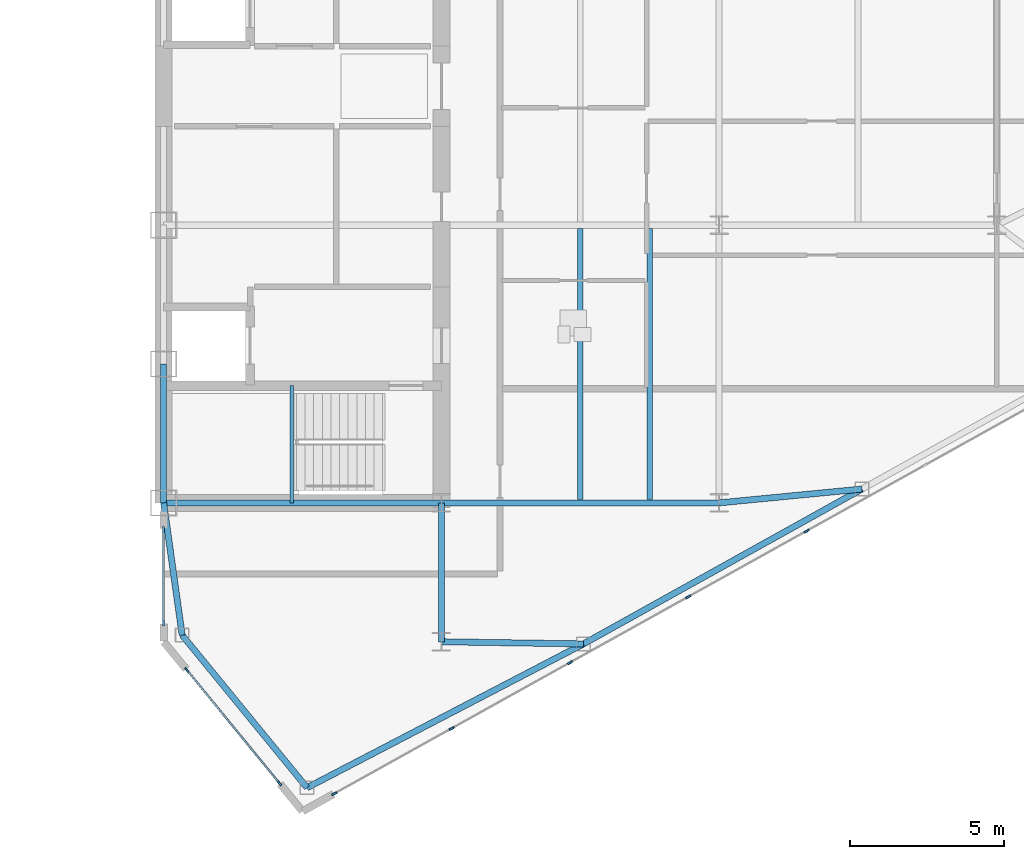
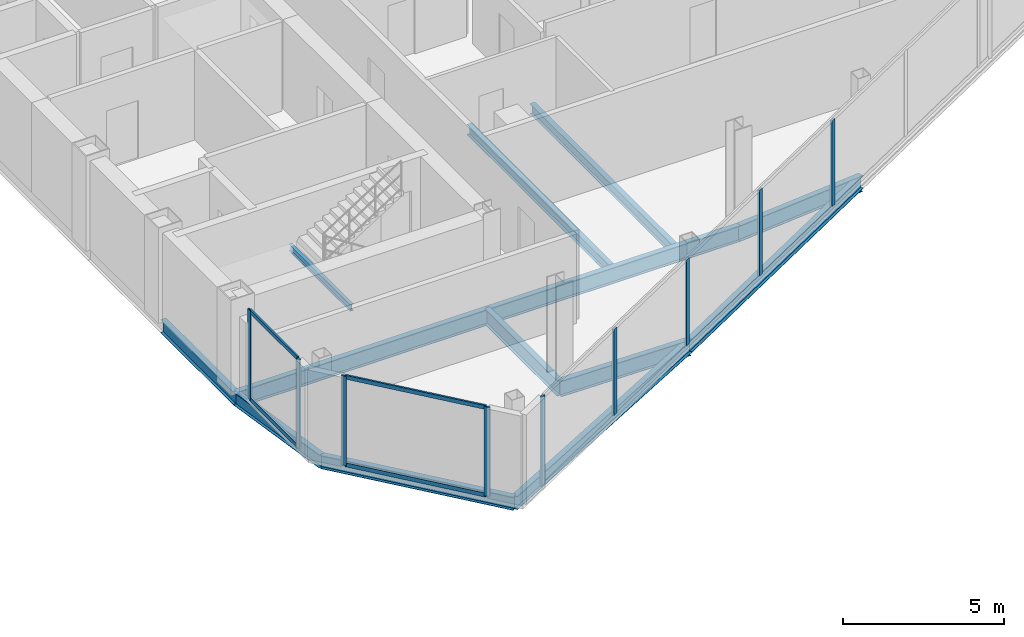
# One storey, part 11 of 25: 13 beams, 13 members, 3 elements without a shape of their own.
"""IFC4 building model written with IfcOpenShell, lengths in metres."""

from ifc_helpers import new_model, si_unit, direction, frame, origin, origin_2d, place, context, subcontext, project, spatial, rectangle, i_section, extrude, source, transform, mapped, material, layer, layer_set, material_profile, profile_set, type_object, type_shapes, element, aggregate, save


model = new_model("IFC4")

# Units and contexts
model_context = context("Model", 3, precision=1e-05, world=origin(), true_north=direction((0.0, 1.0)))
body_context = subcontext(model_context, "Body", "Model", "MODEL_VIEW")
ifc_project = project(units=[si_unit("LENGTHUNIT", "METRE"), si_unit("AREAUNIT", "SQUARE_METRE"), si_unit("VOLUMEUNIT", "CUBIC_METRE"), si_unit("PLANEANGLEUNIT", "RADIAN"), si_unit("MASSUNIT", "GRAM", prefix="KILO")], contexts=[model_context])

# Site, building, storey
site_placement = place(None, origin())
site = spatial("IfcSite", under=ifc_project, at=site_placement, CompositionType="ELEMENT")
building_placement = place(site_placement, origin())
building = spatial("IfcBuilding", under=site, at=building_placement, Name="Seokmaru Belvedere", CompositionType="ELEMENT")
storey_placement = place(building_placement, frame((0.0, 0.0, 185.10009765625)))
storey = spatial("IfcBuildingStorey", under=building, at=storey_placement, Name="L49", CompositionType="ELEMENT", Elevation=185.10009765625)

# Beams
ifc_material_1 = material(Name="Steel SM355 (355 MPa)", Category="steel")
ifc_material_profile_1 = material_profile(ifc_material_1, i_section(OverallWidth=0.199951171875, OverallDepth=0.5, WebThickness=0.010009765625, FlangeThickness=0.01611328125, at=origin_2d()), Name="H-500x200x10x16")
ifc_profile_set_1 = profile_set([ifc_material_profile_1], Name="Steel SM355 (355 MPa)")
beam_type_1 = type_object("IfcBeamType", Name="Perimeter Spandrel Beam H-500", PredefinedType="SPANDREL", material=ifc_profile_set_1)
shared_shape_1 = source(origin(), body_context, "Body", "SweptSolid", [
    extrude(i_section(OverallWidth=0.199951171875, OverallDepth=0.5, WebThickness=0.010009765625, FlangeThickness=0.01611328125, at=origin_2d()), origin(), (0.0, 0.0, 1.0), 4.5),
])
beam_1_placement = place(storey_placement, frame((27.5, -13.5, -0.47021484375), z_axis=(0.0, 1.0, 0.0), x_axis=(-1.0, 0.0, 0.0)))
element("IfcBeam", 1, at=beam_1_placement, inside=storey, type_object=beam_type_1, Name="L49 E Portal Spine Spandrel 1", PredefinedType="SPANDREL", context=body_context, shape_type="MappedRepresentation", body=[
    mapped(shared_shape_1, transform((0.0, 0.0, 0.0), scale=1.0)),
])
ifc_material_profile_2 = material_profile(ifc_material_1, i_section(OverallWidth=0.199951171875, OverallDepth=0.60009765625, WebThickness=0.010986328125, FlangeThickness=0.01708984375, at=origin_2d()), Name="H-600x200x11x17")
ifc_profile_set_2 = profile_set([ifc_material_profile_2], Name="Steel SM355 (355 MPa)")
beam_type_2 = type_object("IfcBeamType", Name="Primary Floor Girder H-600", PredefinedType="BEAM", material=ifc_profile_set_2)
shared_shape_2 = source(origin(), body_context, "Body", "SweptSolid", [
    extrude(i_section(OverallWidth=0.199951171875, OverallDepth=0.60009765625, WebThickness=0.010986328125, FlangeThickness=0.01708984375, at=origin_2d()), origin(), (0.0, 0.0, 1.0), 9.0),
])
for number, where, z_axis, x_axis, name in (
    (2, (27.5, -13.5, -0.52001953125), (1.0, 0.0, 0.0), (0.0, 1.0, 0.0), "L49 E Core Tie Girder 1"),
    (3, (36.5, -13.5, -0.52001953125), (1.0, 0.0, 0.0), (0.0, 1.0, 0.0), "L49 E Wing Primary Girder 1"),
):
    element("IfcBeam", number, at=place(storey_placement, frame(where, z_axis=z_axis, x_axis=x_axis)), inside=storey, type_object=beam_type_2, Name=name, PredefinedType="BEAM", context=body_context, shape_type="MappedRepresentation", body=[
        mapped(shared_shape_2, transform((0.0, 0.0, 0.0), scale=1.0)),
    ])
ifc_material_profile_3 = material_profile(ifc_material_1, i_section(OverallWidth=0.18505859375, OverallDepth=0.389892578125, WebThickness=0.008056640625, FlangeThickness=0.011962890625, at=origin_2d()), Name="H-390x185x8x12")
ifc_profile_set_3 = profile_set([ifc_material_profile_3], Name="Steel SM355 (355 MPa)")
beam_type_3 = type_object("IfcBeamType", Name="Secondary Floor Joist H-350", PredefinedType="JOIST", material=ifc_profile_set_3)
shared_shape_3 = source(origin(), body_context, "Body", "SweptSolid", [
    extrude(i_section(OverallWidth=0.18505859375, OverallDepth=0.389892578125, WebThickness=0.008056640625, FlangeThickness=0.011962890625, at=origin_2d()), origin(), (0.0, 0.0, 1.0), 8.7900390625),
])
type_shapes(beam_type_3, [shared_shape_3])
for number, where, z_axis, x_axis, name in (
    (4, (43.25, -13.39501953125, -0.4150390625), (0.0, 1.0, 0.0), (-1.0, 0.0, 0.0), "L49 E Wing Inner Secondary Joist 1"),
    (5, (41.0, -13.39501953125, -0.4150390625), (0.0, 1.0, 0.0), (-1.0, 0.0, 0.0), "L49 E Secondary Floor Joist 1"),
):
    element("IfcBeam", number, at=place(storey_placement, frame(where, z_axis=z_axis, x_axis=x_axis)), inside=storey, type_object=beam_type_3, Name=name, PredefinedType="JOIST", context=body_context, shape_type="MappedRepresentation", body=[
        mapped(shared_shape_3, transform((0.0, 0.0, 0.0), scale=1.0)),
    ])
shared_shape_4 = source(origin(), body_context, "Body", "SweptSolid", [
    extrude(i_section(OverallWidth=0.199951171875, OverallDepth=0.60009765625, WebThickness=0.010986328125, FlangeThickness=0.01708984375, at=origin_2d()), origin(), (0.0, 0.0, 1.0), 4.5),
])
beam_2_placement = place(storey_placement, frame((36.5, -18.0, -0.52001953125), z_axis=(0.0, 1.0, 0.0), x_axis=(-1.0, 0.0, 0.0)))
element("IfcBeam", 6, at=beam_2_placement, inside=storey, type_object=beam_type_2, Name="L49 E Core Shoulder Girder S", PredefinedType="BEAM", context=body_context, shape_type="MappedRepresentation", body=[
    mapped(shared_shape_4, transform((0.0, 0.0, 0.0), scale=1.0)),
])
shared_shape_5 = source(origin(), body_context, "Body", "SweptSolid", [
    extrude(i_section(OverallWidth=0.199951171875, OverallDepth=0.5, WebThickness=0.010009765625, FlangeThickness=0.01611328125, at=origin_2d()), origin(), (0.0, 0.0, 1.0), 10.09716796875),
])
beam_3_placement = place(storey_placement, frame((32.146728515625, -22.731689453125, -0.47021484375), z_axis=(0.887085728914, 0.461604711369, 0.0), x_axis=(-0.461604711369, 0.887085728914, 0.0)))
element("IfcBeam", 7, at=beam_3_placement, inside=storey, type_object=beam_type_1, Name="L49 E Faceted Flank Spandrel S-1", PredefinedType="SPANDREL", context=body_context, shape_type="MappedRepresentation", body=[
    mapped(shared_shape_5, transform((0.0, 0.0, 0.0), scale=1.0)),
])
shared_shape_6 = source(origin(), body_context, "Body", "SweptSolid", [
    extrude(i_section(OverallWidth=0.199951171875, OverallDepth=0.5, WebThickness=0.010009765625, FlangeThickness=0.01611328125, at=origin_2d()), origin(), (0.0, 0.0, 1.0), 10.327392578125),
])
beam_4_placement = place(storey_placement, frame((41.103759765625, -18.07080078125, -0.47021484375), z_axis=(0.873924120588, 0.486062374037, 0.0), x_axis=(-0.486062374037, 0.873924120588, 0.0)))
element("IfcBeam", 8, at=beam_4_placement, inside=storey, type_object=beam_type_1, Name="L49 E Faceted Flank Spandrel S-2", PredefinedType="SPANDREL", context=body_context, shape_type="MappedRepresentation", body=[
    mapped(shared_shape_6, transform((0.0, 0.0, 0.0), scale=1.0)),
])
shared_shape_7 = source(origin(), body_context, "Body", "SweptSolid", [
    extrude(i_section(OverallWidth=0.199951171875, OverallDepth=0.5, WebThickness=0.010009765625, FlangeThickness=0.01611328125, at=origin_2d()), origin(), (0.0, 0.0, 1.0), 6.390380859375),
])
beam_5_placement = place(storey_placement, frame((32.146728515625, -22.731689453125, -0.47021484375), z_axis=(-0.63324403161, 0.7739521926, 0.0), x_axis=(-0.7739521926, -0.63324403161, 0.0)))
element("IfcBeam", 9, at=beam_5_placement, inside=storey, type_object=beam_type_1, Name="L49 E Shoulder Chamfer Spandrel S", PredefinedType="SPANDREL", context=body_context, shape_type="MappedRepresentation", body=[
    mapped(shared_shape_7, transform((0.0, 0.0, 0.0), scale=1.0)),
])
shared_shape_8 = source(origin(), body_context, "Body", "SweptSolid", [
    extrude(i_section(OverallWidth=0.199951171875, OverallDepth=0.5, WebThickness=0.010009765625, FlangeThickness=0.01611328125, at=origin_2d()), origin(), (0.0, 0.0, 1.0), 4.32763671875),
])
type_shapes(beam_type_1, [shared_shape_1, shared_shape_5, shared_shape_6, shared_shape_7, shared_shape_8])
beam_6_placement = place(storey_placement, frame((28.10009765625, -17.785888671875, -0.47021484375), z_axis=(-0.138664443237, 0.990339422714, 0.0), x_axis=(-0.990339422714, -0.138664443237, 0.0)))
element("IfcBeam", 10, at=beam_6_placement, inside=storey, type_object=beam_type_1, Name="L49 E Shoulder Spine Spandrel S", PredefinedType="SPANDREL", context=body_context, shape_type="MappedRepresentation", body=[
    mapped(shared_shape_8, transform((0.0, 0.0, 0.0), scale=1.0)),
])
shared_shape_9 = source(origin(), body_context, "Body", "SweptSolid", [
    extrude(i_section(OverallWidth=0.199951171875, OverallDepth=0.60009765625, WebThickness=0.010986328125, FlangeThickness=0.01708984375, at=origin_2d()), origin(), (0.0, 0.0, 1.0), 4.604248046875),
])
beam_7_placement = place(storey_placement, frame((41.103759765625, -18.07080078125, -0.52001953125), z_axis=(-0.999881765622, 0.01537708607, 0.0), x_axis=(-0.01537708607, -0.999881765622, 0.0)))
element("IfcBeam", 11, at=beam_7_placement, inside=storey, type_object=beam_type_2, Name="L49 E Flank Radial Floor Girder S-1", PredefinedType="BEAM", context=body_context, shape_type="MappedRepresentation", body=[
    mapped(shared_shape_9, transform((0.0, 0.0, 0.0), scale=1.0)),
])
shared_shape_10 = source(origin(), body_context, "Body", "SweptSolid", [
    extrude(i_section(OverallWidth=0.199951171875, OverallDepth=0.60009765625, WebThickness=0.010986328125, FlangeThickness=0.01708984375, at=origin_2d()), origin(), (0.0, 0.0, 1.0), 4.65087890625),
])
type_shapes(beam_type_2, [shared_shape_2, shared_shape_4, shared_shape_9, shared_shape_10])
beam_8_placement = place(storey_placement, frame((50.129150390625, -13.051025390625, -0.52001953125), z_axis=(-0.995329534874, -0.09653557379, 0.0), x_axis=(0.09653557379, -0.995329534874, 0.0)))
element("IfcBeam", 12, at=beam_8_placement, inside=storey, type_object=beam_type_2, Name="L49 E Flank Radial Floor Girder S-2", PredefinedType="BEAM", context=body_context, shape_type="MappedRepresentation", body=[
    mapped(shared_shape_10, transform((0.0, 0.0, 0.0), scale=1.0)),
])

# Curtain wall, members
ifc_material_2 = material(Name="Bronze Triple Insulating Glass", Category="glass")
ifc_layer = layer(ifc_material_2, 0.179931640625)
ifc_layer_set = layer_set([ifc_layer], Name="Bronze Triple Insulating Glass")
curtain_wall_type = type_object("IfcCurtainWallType", Name="High-Rise Wind-Corner Curtain Wall System CW-5", PredefinedType="NOTDEFINED", material=ifc_layer_set)
curtain_wall_1_placement = place(storey_placement, origin())
curtain_wall_1 = element("IfcCurtainWall", 13, at=curtain_wall_1_placement, inside=storey, type_object=curtain_wall_type, Name="L49 Curtain Wall ESP_1", PredefinedType="NOTDEFINED")
ifc_material_3 = material(Name="Anodised Bronze Aluminium", Category="aluminium")
ifc_material_profile_4 = material_profile(ifc_material_3, rectangle(XDim=0.06494140625, YDim=0.14990234375, at=origin_2d()), Name="CW-T-65x150")
ifc_profile_set_4 = profile_set([ifc_material_profile_4], Name="Anodised Bronze Aluminium")
member_type_1 = type_object("IfcMemberType", Name="Bronze Unitised Transom 65x150", PredefinedType="USERDEFINED", material=ifc_profile_set_4)
shared_shape_11 = source(origin(), body_context, "Body", "SweptSolid", [
    extrude(rectangle(XDim=0.06494140625, YDim=0.14990234375, at=origin_2d()), origin(), (0.0, 0.0, 1.0), 2.969970703125),
])
member_1_placement = place(storey_placement, frame((27.5, -14.39501953125, 0.032470703125), z_axis=(0.0, -1.0, 0.0), x_axis=(1.0, 0.0, 0.0)))
member_1 = element("IfcMember", 14, at=member_1_placement, type_object=member_type_1, Name="CW:L49:ESP_1 Continuous Transom 1", ObjectType="TRANSOM", PredefinedType="USERDEFINED", context=body_context, shape_type="MappedRepresentation", body=[
    mapped(shared_shape_11, transform((0.0, 0.0, 0.0), scale=1.0)),
])
member_2_placement = place(storey_placement, frame((27.5, -14.39501953125, 3.347412109375), z_axis=(0.0, -1.0, 0.0), x_axis=(1.0, 0.0, 0.0)))
member_2 = element("IfcMember", 15, at=member_2_placement, type_object=member_type_1, Name="CW:L49:ESP_1 Continuous Transom 2", ObjectType="TRANSOM", PredefinedType="USERDEFINED", context=body_context, shape_type="MappedRepresentation", body=[
    mapped(shared_shape_11, transform((0.0, 0.0, 0.0), scale=1.0)),
])

curtain_wall_2_placement = place(storey_placement, origin())
curtain_wall_2 = element("IfcCurtainWall", 16, at=curtain_wall_2_placement, inside=storey, type_object=curtain_wall_type, Name="L49 Curtain Wall EF6", PredefinedType="NOTDEFINED")
shared_shape_12 = source(origin(), body_context, "Body", "SweptSolid", [
    extrude(rectangle(XDim=0.06494140625, YDim=0.14990234375, at=origin_2d()), origin(), (0.0, 0.0, 1.0), 4.67626953125),
])
type_shapes(member_type_1, [shared_shape_11, shared_shape_12])
member_3_placement = place(storey_placement, frame((28.269287109375, -18.9404296875, 0.032470703125), z_axis=(0.633277591216, -0.773924733074, 0.0), x_axis=(0.773924733074, 0.633277591216, 0.0)))
member_3 = element("IfcMember", 17, at=member_3_placement, type_object=member_type_1, Name="CW:L49:EF6 Continuous Transom 1", ObjectType="TRANSOM", PredefinedType="USERDEFINED", context=body_context, shape_type="MappedRepresentation", body=[
    mapped(shared_shape_12, transform((0.0, 0.0, 0.0), scale=1.0)),
])
member_4_placement = place(storey_placement, frame((28.269287109375, -18.9404296875, 3.347412109375), z_axis=(0.633277591216, -0.773924733074, 0.0), x_axis=(0.773924733074, 0.633277591216, 0.0)))
member_4 = element("IfcMember", 18, at=member_4_placement, type_object=member_type_1, Name="CW:L49:EF6 Continuous Transom 2", ObjectType="TRANSOM", PredefinedType="USERDEFINED", context=body_context, shape_type="MappedRepresentation", body=[
    mapped(shared_shape_12, transform((0.0, 0.0, 0.0), scale=1.0)),
])

# Curtain wall, member
curtain_wall_3_placement = place(storey_placement, origin())
curtain_wall_3 = element("IfcCurtainWall", 19, at=curtain_wall_3_placement, inside=storey, type_object=curtain_wall_type, Name="L49 Curtain Wall EF1", PredefinedType="NOTDEFINED")
ifc_material_profile_5 = material_profile(ifc_material_3, rectangle(XDim=0.06494140625, YDim=0.179931640625, at=origin_2d()), Name="CW-M-65x180")
ifc_profile_set_5 = profile_set([ifc_material_profile_5], Name="Anodised Bronze Aluminium")
member_type_2 = type_object("IfcMemberType", Name="Bronze Unitised Mullion 65x180", PredefinedType="MULLION", material=ifc_profile_set_5)
shared_shape_13 = source(origin(), body_context, "Body", "SweptSolid", [
    extrude(rectangle(XDim=0.06494140625, YDim=0.179931640625, at=origin_2d()), origin(), (0.0, 0.0, 1.0), 3.3798828125),
])
member_5_placement = place(storey_placement, frame((33.033447265625, -22.92529296875, 0.0), z_axis=(0.0, 0.0, 1.0), x_axis=(-0.486047125147, 0.873932601598, 0.0)))
member_5 = element("IfcMember", 20, at=member_5_placement, type_object=member_type_2, Name="CW:L49:EF1 Mullion 1", PredefinedType="MULLION", context=body_context, shape_type="MappedRepresentation", body=[
    mapped(shared_shape_13, transform((0.0, 0.0, 0.0), scale=1.0)),
])

# Member
member_6_placement = place(storey_placement, frame((27.5, -14.362548828125, 0.0), z_axis=(0.0, 0.0, 1.0), x_axis=(1.0, 0.0, 0.0)))
member_6 = element("IfcMember", 21, at=member_6_placement, type_object=member_type_2, Name="CW:L49:ESP_1 Mullion 1", PredefinedType="MULLION", context=body_context, shape_type="MappedRepresentation", body=[
    mapped(shared_shape_13, transform((0.0, 0.0, 0.0), scale=1.0)),
])

member_7_placement = place(storey_placement, frame((27.5, -17.3974609375, 0.0), z_axis=(0.0, 0.0, 1.0), x_axis=(1.0, 0.0, 0.0)))
member_7 = element("IfcMember", 22, at=member_7_placement, type_object=member_type_2, Name="CW:L49:ESP_1 Mullion 2", PredefinedType="MULLION", context=body_context, shape_type="MappedRepresentation", body=[
    mapped(shared_shape_13, transform((0.0, 0.0, 0.0), scale=1.0)),
])

aggregate(curtain_wall_1, [member_6, member_7, member_1, member_2])

member_8_placement = place(storey_placement, frame((28.248779296875, -18.915283203125, 0.0), z_axis=(0.0, 0.0, 1.0), x_axis=(0.773944112379, 0.633253907144, 0.0)))
member_8 = element("IfcMember", 23, at=member_8_placement, type_object=member_type_2, Name="CW:L49:EF6 Mullion 1", PredefinedType="MULLION", context=body_context, shape_type="MappedRepresentation", body=[
    mapped(shared_shape_13, transform((0.0, 0.0, 0.0), scale=1.0)),
])

member_9_placement = place(storey_placement, frame((31.251220703125, -22.584716796875, 0.0), z_axis=(0.0, 0.0, 1.0), x_axis=(0.773944112379, 0.633253907144, 0.0)))
member_9 = element("IfcMember", 24, at=member_9_placement, type_object=member_type_2, Name="CW:L49:EF6 Mullion 2", PredefinedType="MULLION", context=body_context, shape_type="MappedRepresentation", body=[
    mapped(shared_shape_13, transform((0.0, 0.0, 0.0), scale=1.0)),
])

aggregate(curtain_wall_2, [member_8, member_9, member_3, member_4])

shared_shape_14 = source(origin(), body_context, "Body", "SweptSolid", [
    extrude(rectangle(XDim=0.06494140625, YDim=0.179931640625, at=origin_2d()), origin(), (0.0, 0.0, 1.0), 3.25),
])
type_shapes(member_type_2, [shared_shape_13, shared_shape_14])
member_10_placement = place(storey_placement, frame((36.837158203125, -20.809814453125, 0.06494140625), z_axis=(0.0, 0.0, 1.0), x_axis=(-0.486047125147, 0.873932601598, 0.0)))
member_10 = element("IfcMember", 25, at=member_10_placement, type_object=member_type_2, Name="CW:L49:EF1 Mullion 2", PredefinedType="MULLION", context=body_context, shape_type="MappedRepresentation", body=[
    mapped(shared_shape_14, transform((0.0, 0.0, 0.0), scale=1.0)),
])

member_11_placement = place(storey_placement, frame((40.66943359375, -18.67822265625, 0.06494140625), z_axis=(0.0, 0.0, 1.0), x_axis=(-0.486047125147, 0.873932601598, 0.0)))
member_11 = element("IfcMember", 26, at=member_11_placement, type_object=member_type_2, Name="CW:L49:EF1 Mullion 3", PredefinedType="MULLION", context=body_context, shape_type="MappedRepresentation", body=[
    mapped(shared_shape_14, transform((0.0, 0.0, 0.0), scale=1.0)),
])

member_12_placement = place(storey_placement, frame((44.501708984375, -16.547119140625, 0.06494140625), z_axis=(0.0, 0.0, 1.0), x_axis=(-0.486047125147, 0.873932601598, 0.0)))
member_12 = element("IfcMember", 27, at=member_12_placement, type_object=member_type_2, Name="CW:L49:EF1 Mullion 4", PredefinedType="MULLION", context=body_context, shape_type="MappedRepresentation", body=[
    mapped(shared_shape_14, transform((0.0, 0.0, 0.0), scale=1.0)),
])

member_13_placement = place(storey_placement, frame((48.333984375, -14.415771484375, 0.06494140625), z_axis=(0.0, 0.0, 1.0), x_axis=(-0.486047125147, 0.873932601598, 0.0)))
member_13 = element("IfcMember", 28, at=member_13_placement, type_object=member_type_2, Name="CW:L49:EF1 Mullion 5", PredefinedType="MULLION", context=body_context, shape_type="MappedRepresentation", body=[
    mapped(shared_shape_14, transform((0.0, 0.0, 0.0), scale=1.0)),
])

aggregate(curtain_wall_3, [member_5, member_10, member_11, member_12, member_13])

# Beam
ifc_material_profile_6 = material_profile(ifc_material_1, i_section(OverallWidth=0.125, OverallDepth=0.25, WebThickness=0.006103515625, FlangeThickness=0.009033203125, at=origin_2d()), Name="H-250x125x6x9")
ifc_profile_set_6 = profile_set([ifc_material_profile_6], Name="Steel SM355 (355 MPa)")
beam_type_4 = type_object("IfcBeamType", Name="Stair Mid-Landing Support Beam H-250", PredefinedType="JOIST", material=ifc_profile_set_6)
shared_shape_15 = source(origin(), body_context, "Body", "SweptSolid", [
    extrude(i_section(OverallWidth=0.125, OverallDepth=0.25, WebThickness=0.006103515625, FlangeThickness=0.009033203125, at=origin_2d()), origin(), (0.0, 0.0, 1.0), 3.800048828125),
])
type_shapes(beam_type_4, [shared_shape_15])
beam_9_placement = place(storey_placement, frame((31.64990234375, -13.5, 1.474853515625), z_axis=(0.0, 1.0, 0.0), x_axis=(-1.0, 0.0, 0.0)))
element("IfcBeam", 29, at=beam_9_placement, inside=storey, type_object=beam_type_4, Name="L49 Stair ST-E1 Mid-Landing Support Beam 1", PredefinedType="JOIST", context=body_context, shape_type="MappedRepresentation", body=[
    mapped(shared_shape_15, transform((0.0, 0.0, 0.0), scale=1.0)),
])

save(model, "model.ifc")
